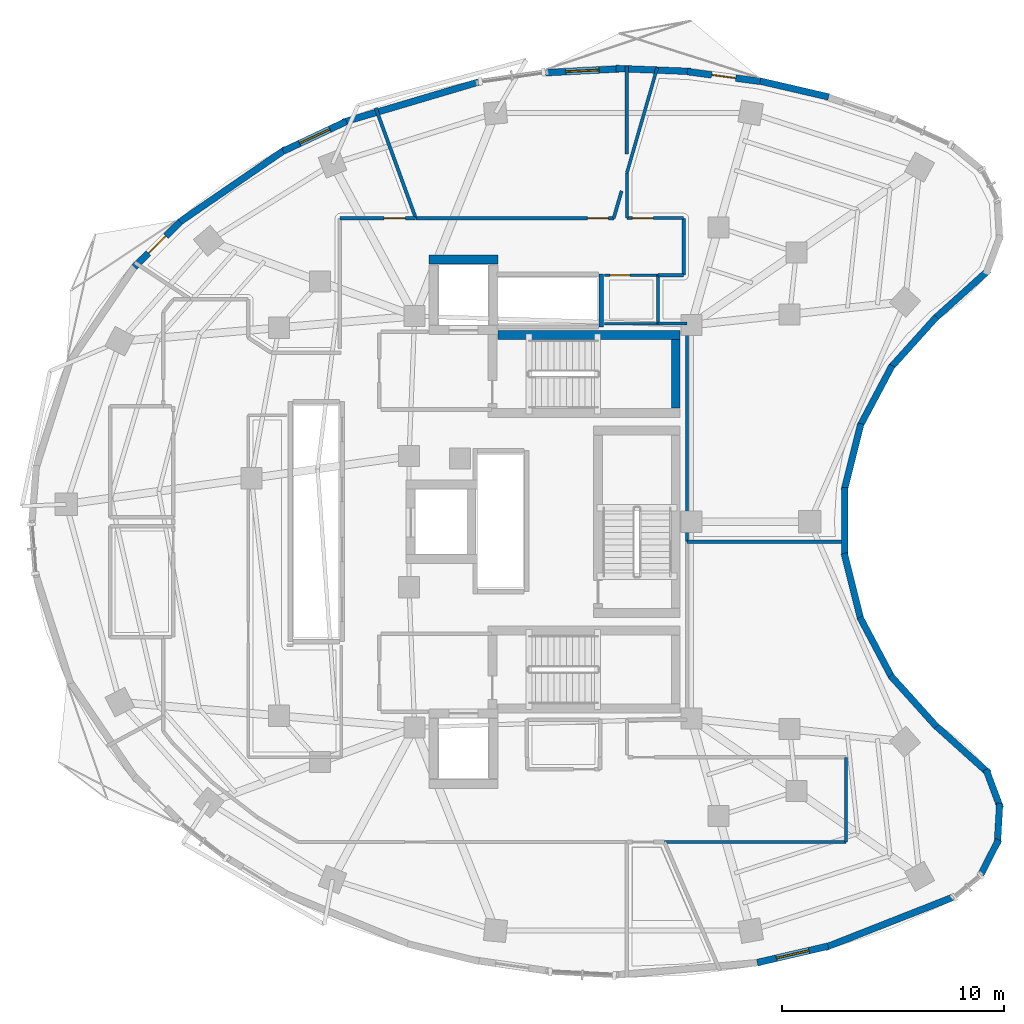
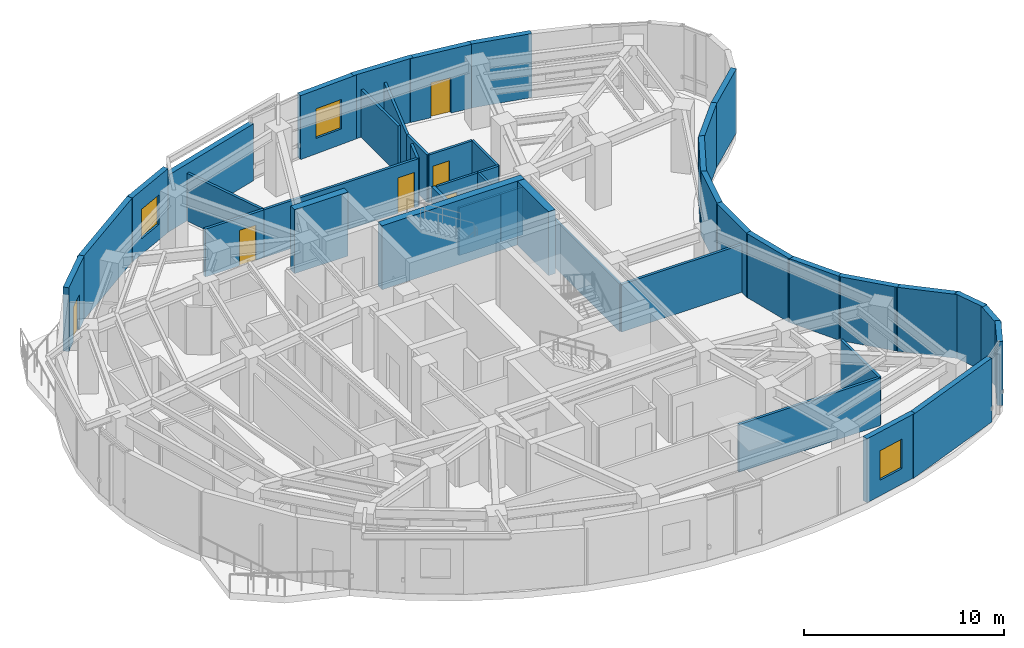
# One storey, part 9 of 13: 44 walls, 6 doors, 3 windows, 9 openings.
"""IFC4 building model written with IfcOpenShell, lengths in metres."""

import ifcopenshell
import ifcopenshell.guid

model = None  # the IFC model being written
_history = None  # IfcOwnerHistory: only IFC2X3 demands one
_inside = {}  # id of a spatial element -> (the spatial element, [elements in it])
_under = {}  # id of a project, library or spatial element -> (it, [spatial elements below it])
_declared = {}  # id of a project -> (the project, [libraries it declares])
_typed = {}  # id of a type object -> (the type object, [elements of that type])
_made_of = {}  # id of a material, layer set ... -> (it, [elements and type objects made of it])


def new_model(schema):
    """Start an empty IFC model of exactly this schema.

    Asked for "IFC4X3", IfcOpenShell would pick the latest addendum, in which some entities
    have other attributes; the version numbers below select the first issue.
    IFC2X3 requires an IfcOwnerHistory on every rooted entity: one is made here for all.
    """
    global model, _history
    if schema == "IFC4X3":
        model = ifcopenshell.file(schema_version=(4, 3, 0, 0))
    else:
        model = ifcopenshell.file(schema=schema)
    _inside.clear()
    _under.clear()
    _declared.clear()
    _typed.clear()
    _made_of.clear()
    _history = None
    if model.schema == "IFC2X3":
        org = make("IfcOrganization", Name="unknown")
        user = make(
            "IfcPersonAndOrganization",
            ThePerson=make("IfcPerson", FamilyName="unknown"),
            TheOrganization=org,
        )
        app = make(
            "IfcApplication",
            ApplicationDeveloper=org,
            Version="unknown",
            ApplicationFullName="unknown",
            ApplicationIdentifier="unknown",
        )
        _history = make(
            "IfcOwnerHistory",
            OwningUser=user,
            OwningApplication=app,
            ChangeAction="ADDED",
            CreationDate=0,
        )
    return model


def make(cls, **values):
    """One entity of the class cls with the attributes given. An attribute that is None is left unset."""
    return model.create_entity(
        cls, **{name: value for name, value in values.items() if value is not None}
    )


def rooted(cls, **values):
    """An entity with a GlobalId (a new one), such as an element, a storey or a relation."""
    return make(cls, GlobalId=ifcopenshell.guid.new(), OwnerHistory=_history, **values)


def si_unit(unit_type, name, prefix=None):
    """IfcSIUnit, for example si_unit("LENGTHUNIT", "METRE", prefix="MILLI")."""
    return make("IfcSIUnit", UnitType=unit_type, Prefix=prefix, Name=name)


def assignment(units):
    """IfcUnitAssignment: the units of a project."""
    return None if units is None else make("IfcUnitAssignment", Units=units)


def point(xyz):
    """IfcCartesianPoint."""
    return None if xyz is None else make("IfcCartesianPoint", Coordinates=xyz)


def direction(xyz):
    """IfcDirection."""
    return None if xyz is None else make("IfcDirection", DirectionRatios=xyz)


def frame(location, z_axis=None, x_axis=None):
    """IfcAxis2Placement3D, a coordinate frame: its origin and axes. An axis left out is left unset."""
    return make(
        "IfcAxis2Placement3D",
        Location=point(location),
        Axis=direction(z_axis),
        RefDirection=direction(x_axis),
    )


def frame_2d(location, x_axis=None):
    """IfcAxis2Placement2D, a coordinate frame in the plane: its origin and x axis."""
    return make(
        "IfcAxis2Placement2D", Location=point(location), RefDirection=direction(x_axis)
    )


def origin():
    """The frame at (0, 0, 0) with its axes left unset."""
    return frame((0.0, 0.0, 0.0))


def place(relative_to, where):
    """IfcLocalPlacement: puts the frame where relative to a parent placement (None: the world)."""
    return make(
        "IfcLocalPlacement", PlacementRelTo=relative_to, RelativePlacement=where
    )


def context(
    kind, dimensions, precision=None, world=None, true_north=None, identifier=None
):
    """IfcGeometricRepresentationContext, for example the 3D "Model" context."""
    return make(
        "IfcGeometricRepresentationContext",
        ContextIdentifier=identifier,
        ContextType=kind,
        CoordinateSpaceDimension=dimensions,
        Precision=precision,
        WorldCoordinateSystem=world,
        TrueNorth=true_north,
    )


def subcontext(parent, identifier, kind, view, scale=None):
    """IfcGeometricRepresentationSubContext, for example "Body" below "Model"."""
    return make(
        "IfcGeometricRepresentationSubContext",
        ContextIdentifier=identifier,
        ContextType=kind,
        ParentContext=parent,
        TargetScale=scale,
        TargetView=view,
    )


def project(units=None, contexts=None):
    """IfcProject with its units and contexts."""
    return rooted(
        "IfcProject",
        Name="project",
        RepresentationContexts=contexts,
        UnitsInContext=assignment(units),
    )


def spatial(cls, under=None, at=None, **own):
    """A site, building, storey or space (cls), placed at a placement, below another one or the project."""
    s = rooted(cls, ObjectPlacement=at, **own)
    if under is not None:
        _under.setdefault(under.id(), (under, []))[1].append(s)
    return s


def profile(cls, at=None, kind="AREA", **sizes):
    """A parametric profile (cls). Its sizes go by their IFC names, for example OverallWidth=200.0."""
    return make(cls, ProfileType=kind, Position=at, **sizes)


def rectangle(**sizes):
    """IfcRectangleProfileDef."""
    return profile("IfcRectangleProfileDef", **sizes)


def extrude(swept, where, along, depth):
    """IfcExtrudedAreaSolid: the profile swept, set in the frame where, extruded along a direction by depth."""
    return make(
        "IfcExtrudedAreaSolid",
        SweptArea=swept,
        Position=where,
        ExtrudedDirection=direction(along),
        Depth=depth,
    )


def shape(context_of_items, identifier, shape_type, items):
    """IfcShapeRepresentation: the items that make up one representation, for example the "Body"."""
    return make(
        "IfcShapeRepresentation",
        ContextOfItems=context_of_items,
        RepresentationIdentifier=identifier,
        RepresentationType=shape_type,
        Items=items,
    )


def material(Name=None, Category=None):
    """IfcMaterial."""
    return make("IfcMaterial", Name=Name, Category=Category)


def layer(
    of_material, thickness, ventilated=None, Name=None, Category=None, Priority=None
):
    """IfcMaterialLayer: one layer of a wall or slab, of a material (None: an air gap)."""
    return make(
        "IfcMaterialLayer",
        Material=of_material,
        LayerThickness=thickness,
        IsVentilated=ventilated,
        Name=Name,
        Category=Category,
        Priority=Priority,
    )


def layer_set(layers, Name=None):
    """IfcMaterialLayerSet."""
    return make("IfcMaterialLayerSet", MaterialLayers=layers, LayerSetName=Name)


def made_of(thing, what):
    """Note that an element or type object is made of a material, layer set ...; save() writes the relation."""
    if what is not None:
        _made_of.setdefault(what.id(), (what, []))[1].append(thing)
    return thing


def type_object(cls, material=None, **own):
    """A type object (cls), such as IfcWallType, which elements share."""
    return made_of(rooted(cls, **own), material)


def element(
    cls,
    number,
    at=None,
    inside=None,
    cuts=None,
    type_object=None,
    material=None,
    context=None,
    identifier="Body",
    shape_type=None,
    held_by="IfcProductDefinitionShape",
    body=None,
    shapes=None,
    **own,
):
    """One element of the class cls, such as IfcWall. Its Tag is "e" and its number.

    at: its placement. inside: the storey or other place that contains it. cuts: it is an
    opening in that element (IfcRelVoidsElement). A single representation is given by context,
    identifier, shape_type and body (its items); several are given by shapes. held_by: the class
    of the entity that holds the representations. save() writes the other relations.
    """
    e = rooted(cls, Tag="e%d" % number, ObjectPlacement=at, **own)
    if body is not None:
        shapes = [shape(context, identifier, shape_type, body)]
    if shapes is not None:
        e.Representation = make(held_by, Representations=shapes)
    if inside is not None:
        _inside.setdefault(inside.id(), (inside, []))[1].append(e)
    if cuts is not None:
        rooted(
            "IfcRelVoidsElement", RelatingBuildingElement=cuts, RelatedOpeningElement=e
        )
    if type_object is not None:
        _typed.setdefault(type_object.id(), (type_object, []))[1].append(e)
    return made_of(e, material)


def fill(opening, filler):
    """IfcRelFillsElement: the door or window that sits in an opening."""
    return rooted(
        "IfcRelFillsElement",
        RelatingOpeningElement=opening,
        RelatedBuildingElement=filler,
    )


def aggregate(whole, parts):
    """IfcRelAggregates: a whole, such as a stair, and the parts it consists of."""
    return rooted("IfcRelAggregates", RelatingObject=whole, RelatedObjects=parts)


def save(model, path):
    """Write the relations noted so far, then the file.

    IfcRelAggregates (storeys below a building ...), IfcRelContainedInSpatialStructure (elements
    in a storey), IfcRelDefinesByType, IfcRelAssociatesMaterial and IfcRelDeclares: one each for
    every whole, place, type object, material and project.
    """
    for whole, parts in _under.values():
        aggregate(whole, parts)
    for where, things in _inside.values():
        rooted(
            "IfcRelContainedInSpatialStructure",
            RelatedElements=things,
            RelatingStructure=where,
        )
    for kind, things in _typed.values():
        rooted("IfcRelDefinesByType", RelatedObjects=things, RelatingType=kind)
    for what, things in _made_of.values():
        rooted("IfcRelAssociatesMaterial", RelatedObjects=things, RelatingMaterial=what)
    for by, libraries in _declared.values():
        rooted("IfcRelDeclares", RelatingContext=by, RelatedDefinitions=libraries)
    model.write(path)


model = new_model("IFC4")

# Units and contexts
model_context = context("Model", 3, precision=1e-05, world=origin(), true_north=direction((0.0, 1.0)))
body_context = subcontext(model_context, "Body", "Model", "MODEL_VIEW")
ifc_project = project(units=[si_unit("LENGTHUNIT", "METRE"), si_unit("AREAUNIT", "SQUARE_METRE"), si_unit("VOLUMEUNIT", "CUBIC_METRE"), si_unit("PLANEANGLEUNIT", "RADIAN"), si_unit("MASSUNIT", "GRAM", prefix="KILO")], contexts=[model_context])

# Site, building, storey
site_placement = place(None, origin())
site = spatial("IfcSite", under=ifc_project, at=site_placement, CompositionType="ELEMENT")
building_placement = place(site_placement, origin())
building = spatial("IfcBuilding", under=site, at=building_placement, Name="Korentha Bioscience Tower", CompositionType="ELEMENT")
storey_placement = place(building_placement, frame((0.0, 0.0, 166.800048828125)))
storey = spatial("IfcBuildingStorey", under=building, at=storey_placement, Name="L38", CompositionType="ELEMENT", Elevation=166.800048828125)

# Wall, opening, door
ifc_material_1 = material(Name="Double-Stud Acoustic Gypsum", Category="gypsum")
ifc_layer_1 = layer(ifc_material_1, 0.14990234375, Name="Double-Stud Acoustic Gypsum")
ifc_layer_set_1 = layer_set([ifc_layer_1], Name="Double-Stud Acoustic Gypsum (IW-L150)")
wall_type_1 = type_object("IfcWallType", Name="Acoustic Laboratory Partition Wall 150", PredefinedType="PARTITIONING", material=ifc_layer_set_1)
wall_1_placement = place(storey_placement, frame((34.05908203125, 40.659912109375, 0.0), z_axis=(0.0, 0.0, 1.0), x_axis=(-1.0, 0.0, 0.0)))
wall_1 = element("IfcWall", 1, at=wall_1_placement, inside=storey, type_object=wall_type_1, Name="L38 Lyophilization Freeze-Drying Room 06 Entrance Wall", PredefinedType="PARTITIONING", context=body_context, shape_type="SweptSolid", body=[
    extrude(rectangle(XDim=8.908447265625, YDim=0.14990234375, at=frame_2d((4.4541015625, 0.0))), origin(), (0.0, 0.0, 1.0), 2.909912109375),
])
opening_1_placement = place(wall_1_placement, frame((0.239990234375, 0.0, 0.0)))
opening_1 = element("IfcOpeningElement", 2, at=opening_1_placement, cuts=wall_1, Name="Opening ID-10R", PredefinedType="OPENING", context=body_context, shape_type="SweptSolid", body=[
    extrude(rectangle(XDim=0.949951171875, YDim=2.14990234375, at=frame_2d((0.47509765625, 1.074951171875))), frame((0.0, 0.08984375, 0.0), z_axis=(0.0, -1.0, 0.0), x_axis=(1.0, 0.0, 0.0)), (0.0, 0.0, 1.0), 0.1796875),
])
ifc_material_2 = material(Name="Phenolic Laminate Timber Core", Category="wood")
door_type_1 = type_object("IfcDoorType", Name="Laboratory Single Leaf Door 950x2150 Right", OperationType="SINGLE_SWING_RIGHT", PredefinedType="DOOR", material=ifc_material_2)
door_1_placement = place(opening_1_placement, origin())
door_1 = element("IfcDoor", 3, at=door_1_placement, inside=storey, type_object=door_type_1, Name="L38 Lyophilization Freeze-Drying Room 06 Door", OperationType="SINGLE_SWING_RIGHT", OverallHeight=2.14990234375, OverallWidth=0.949951171875, PredefinedType="DOOR", context=body_context, shape_type="SweptSolid", body=[
    extrude(rectangle(XDim=0.949951171875, YDim=2.14990234375, at=frame_2d((0.47509765625, 1.074951171875))), frame((0.0, 0.02490234375, 0.0), z_axis=(0.0, -1.0, 0.0), x_axis=(1.0, 0.0, 0.0)), (0.0, 0.0, 1.0), 0.050048828125),
])
fill(opening_1, door_1)

# Walls
wall_2_placement = place(storey_placement, frame((36.348876953125, 12.590087890625, 0.0), z_axis=(0.0, 0.0, 1.0), x_axis=(1.0, 0.0, 0.0)))
element("IfcWall", 4, at=wall_2_placement, inside=storey, type_object=wall_type_1, Name="L38 Interior Partition 040", PredefinedType="PARTITIONING", context=body_context, shape_type="SweptSolid", body=[
    extrude(rectangle(XDim=8.151123046875, YDim=0.14990234375, at=frame_2d((4.07568359375, 0.0))), origin(), (0.0, 0.0, 1.0), 2.909912109375),
])
wall_3_placement = place(storey_placement, frame((44.510009765625, 12.60009765625, 0.0), z_axis=(0.0, 0.0, 1.0), x_axis=(0.0, 1.0, 0.0)))
element("IfcWall", 5, at=wall_3_placement, inside=storey, type_object=wall_type_1, Name="L38 Interior Partition 041", PredefinedType="PARTITIONING", context=body_context, shape_type="SweptSolid", body=[
    extrude(rectangle(XDim=3.7998046875, YDim=0.14990234375, at=frame_2d((1.89990234375, 0.0))), origin(), (0.0, 0.0, 1.0), 2.909912109375),
])
wall_4_placement = place(storey_placement, frame((37.360107421875, 26.097900390625, 0.0), z_axis=(0.0, 0.0, 1.0), x_axis=(1.0, 0.0, 0.0)))
element("IfcWall", 6, at=wall_4_placement, inside=storey, type_object=wall_type_1, Name="L38 Interior Partition 045", PredefinedType="PARTITIONING", context=body_context, shape_type="SweptSolid", body=[
    extrude(rectangle(XDim=7.17333984375, YDim=0.14990234375, at=frame_2d((3.586669921875, 0.0))), origin(), (0.0, 0.0, 1.0), 2.909912109375),
])
wall_5_placement = place(storey_placement, frame((34.64794921875, 47.494873046875, 0.0), z_axis=(0.0, 0.0, 1.0), x_axis=(0.0, -1.0, 0.0)))
element("IfcWall", 7, at=wall_5_placement, inside=storey, type_object=wall_type_1, Name="L38 Interior Partition 052", PredefinedType="PARTITIONING", context=body_context, shape_type="SweptSolid", body=[
    extrude(rectangle(XDim=3.942138671875, YDim=0.14990234375, at=frame_2d((1.97119140625, 0.0))), origin(), (0.0, 0.0, 1.0), 2.909912109375),
])
wall_6_placement = place(storey_placement, frame((34.412109375, 41.88330078125, 0.0), z_axis=(0.0, 0.0, 1.0), x_axis=(-0.277252558392, -0.960797074759, 0.0)))
element("IfcWall", 8, at=wall_6_placement, inside=storey, type_object=wall_type_1, Name="L38 Interior Partition 053", PredefinedType="PARTITIONING", context=body_context, shape_type="SweptSolid", body=[
    extrude(rectangle(XDim=1.273193359375, YDim=0.14990234375, at=frame_2d((0.63671875, 0.0))), origin(), (0.0, 0.0, 1.0), 2.909912109375),
])
wall_7_placement = place(storey_placement, frame((25.150634765625, 40.659912109375, 0.0), z_axis=(0.0, 0.0, 1.0), x_axis=(-0.341995928267, 0.939701433993, 0.0)))
element("IfcWall", 9, at=wall_7_placement, inside=storey, type_object=wall_type_1, Name="L38 Interior Partition 054", PredefinedType="PARTITIONING", context=body_context, shape_type="SweptSolid", body=[
    extrude(rectangle(XDim=5.271240234375, YDim=0.14990234375, at=frame_2d((2.6357421875, 0.0))), origin(), (0.0, 0.0, 1.0), 2.909912109375),
])

# Wall, opening, door
ifc_material_3 = material(Name="Insulated Aluminium Honeycomb Panel", Category="aluminium")
ifc_layer_2 = layer(ifc_material_3, 0.139892578125, Name="Insulated Aluminium Honeycomb Panel")
ifc_layer_set_2 = layer_set([ifc_layer_2], Name="Insulated Aluminium Honeycomb Panel (IW-F60)")
wall_type_2 = type_object("IfcWallType", Name="Cleanroom Flush Metal Panel Partition 140", PredefinedType="PARTITIONING", material=ifc_layer_set_2)
wall_8_placement = place(storey_placement, frame((37.199951171875, 40.659912109375, 0.0), z_axis=(0.0, 0.0, 1.0), x_axis=(-1.0, 0.0, 0.0)))
wall_8 = element("IfcWall", 10, at=wall_8_placement, inside=storey, type_object=wall_type_2, Name="L38 Vaccine Formulation Cleanroom 05 Entrance Wall", PredefinedType="PARTITIONING", context=body_context, shape_type="SweptSolid", body=[
    extrude(rectangle(XDim=2.5478515625, YDim=0.139892578125, at=frame_2d((1.27392578125, 0.0))), origin(), (0.0, 0.0, 1.0), 2.909912109375),
])
opening_2_placement = place(wall_8_placement, frame((1.35791015625, 0.0, 0.0)))
opening_2 = element("IfcOpeningElement", 11, at=opening_2_placement, cuts=wall_8, Name="Opening ID-10L", PredefinedType="OPENING", context=body_context, shape_type="SweptSolid", body=[
    extrude(rectangle(XDim=0.949951171875, YDim=2.14990234375, at=frame_2d((0.47509765625, 1.074951171875))), frame((0.0, 0.0849609375, 0.0), z_axis=(0.0, -1.0, 0.0), x_axis=(1.0, 0.0, 0.0)), (0.0, 0.0, 1.0), 0.169677734375),
])
door_type_2 = type_object("IfcDoorType", Name="Laboratory Single Leaf Door 950x2150 Left", OperationType="SINGLE_SWING_LEFT", PredefinedType="DOOR", material=ifc_material_2)
door_2_placement = place(opening_2_placement, origin())
door_2 = element("IfcDoor", 12, at=door_2_placement, inside=storey, type_object=door_type_2, Name="L38 Vaccine Formulation Cleanroom 05 Door", OperationType="SINGLE_SWING_LEFT", OverallHeight=2.14990234375, OverallWidth=0.949951171875, PredefinedType="DOOR", context=body_context, shape_type="SweptSolid", body=[
    extrude(rectangle(XDim=0.949951171875, YDim=2.14990234375, at=frame_2d((0.47509765625, 1.074951171875))), frame((0.0, 0.02490234375, 0.0), z_axis=(0.0, -1.0, 0.0), x_axis=(1.0, 0.0, 0.0)), (0.0, 0.0, 1.0), 0.050048828125),
])
fill(opening_2, door_2)

# Walls
wall_9_placement = place(storey_placement, frame((34.652099609375, 42.700927734375, 0.0), z_axis=(0.0, 0.0, 1.0), x_axis=(0.277202021351, 0.960811656548, 0.0)))
element("IfcWall", 13, at=wall_9_placement, inside=storey, type_object=wall_type_2, Name="L38 Interior Partition 046", PredefinedType="PARTITIONING", context=body_context, shape_type="SweptSolid", body=[
    extrude(rectangle(XDim=4.924072265625, YDim=0.139892578125, at=frame_2d((2.4619140625, 0.0))), origin(), (0.0, 0.0, 1.0), 2.909912109375),
])
wall_10_placement = place(storey_placement, frame((37.360107421875, 26.10791015625, 0.0), z_axis=(0.0, 0.0, 1.0), x_axis=(0.0, 1.0, 0.0)))
element("IfcWall", 14, at=wall_10_placement, inside=storey, type_object=wall_type_2, Name="L38 Interior Partition 047", PredefinedType="PARTITIONING", context=body_context, shape_type="SweptSolid", body=[
    extrude(rectangle(XDim=9.7919921875, YDim=0.139892578125, at=frame_2d((4.89599609375, 0.0))), origin(), (0.0, 0.0, 1.0), 2.909912109375),
])
wall_11_placement = place(storey_placement, frame((37.35009765625, 35.909912109375, 0.0), z_axis=(0.0, 0.0, 1.0), x_axis=(-1.0, 0.0, 0.0)))
element("IfcWall", 15, at=wall_11_placement, inside=storey, type_object=wall_type_2, Name="L38 Interior Partition 048", PredefinedType="PARTITIONING", context=body_context, shape_type="SweptSolid", body=[
    extrude(rectangle(XDim=1.2900390625, YDim=0.139892578125, at=frame_2d((0.64501953125, 0.0))), origin(), (0.0, 0.0, 1.0), 2.909912109375),
])
wall_12_placement = place(storey_placement, frame((36.06005859375, 38.090087890625, 0.0), z_axis=(0.0, 0.0, 1.0), x_axis=(1.0, 0.0, 0.0)))
element("IfcWall", 16, at=wall_12_placement, inside=storey, type_object=wall_type_2, Name="L38 Interior Partition 049", PredefinedType="PARTITIONING", context=body_context, shape_type="SweptSolid", body=[
    extrude(rectangle(XDim=1.139892578125, YDim=0.139892578125, at=frame_2d((0.56982421875, 0.0))), origin(), (0.0, 0.0, 1.0), 2.909912109375),
])
wall_13_placement = place(storey_placement, frame((37.2099609375, 38.10009765625, 0.0), z_axis=(0.0, 0.0, 1.0), x_axis=(0.0, 1.0, 0.0)))
element("IfcWall", 17, at=wall_13_placement, inside=storey, type_object=wall_type_2, Name="L38 Interior Partition 050", PredefinedType="PARTITIONING", context=body_context, shape_type="SweptSolid", body=[
    extrude(rectangle(XDim=2.5498046875, YDim=0.139892578125, at=frame_2d((1.27490234375, 0.0))), origin(), (0.0, 0.0, 1.0), 2.909912109375),
])
wall_14_placement = place(storey_placement, frame((34.652099609375, 40.659912109375, 0.0), z_axis=(0.0, 0.0, 1.0), x_axis=(0.0, 1.0, 0.0)))
element("IfcWall", 18, at=wall_14_placement, inside=storey, type_object=wall_type_2, Name="L38 Interior Partition 051", PredefinedType="PARTITIONING", context=body_context, shape_type="SweptSolid", body=[
    extrude(rectangle(XDim=2.040771484375, YDim=0.139892578125, at=frame_2d((1.0205078125, 0.0))), origin(), (0.0, 0.0, 1.0), 2.909912109375),
])

# Wall, opening, door
ifc_material_4 = material(Name="Gypsum-Clad Steel Stud", Category="steel")
ifc_layer_3 = layer(ifc_material_4, 0.159912109375, Name="Gypsum-Clad Steel Stud")
ifc_layer_set_3 = layer_set([ifc_layer_3], Name="Gypsum-Clad Steel Stud (IW-C160)")
wall_type_3 = type_object("IfcWallType", Name="Fire-Rated Corridor Partition Wall 160", PredefinedType="PARTITIONING", material=ifc_layer_set_3)
wall_15_placement = place(storey_placement, frame((25.14013671875, 40.659912109375, 0.0), z_axis=(0.0, 0.0, 1.0), x_axis=(-1.0, 0.0, 0.0)))
wall_15 = element("IfcWall", 19, at=wall_15_placement, inside=storey, type_object=wall_type_3, Name="L38 Cold-Chain Stability Chamber 07 Entrance Wall", PredefinedType="PARTITIONING", context=body_context, shape_type="SweptSolid", body=[
    extrude(rectangle(XDim=3.39013671875, YDim=0.159912109375, at=frame_2d((1.695068359375, 0.0))), origin(), (0.0, 0.0, 1.0), 2.909912109375),
])
opening_3_placement = place(wall_15_placement, frame((0.460693359375, 0.0, 0.0)))
opening_3 = element("IfcOpeningElement", 20, at=opening_3_placement, cuts=wall_15, Name="Opening ID-10L", PredefinedType="OPENING", context=body_context, shape_type="SweptSolid", body=[
    extrude(rectangle(XDim=0.949951171875, YDim=2.14990234375, at=frame_2d((0.47509765625, 1.074951171875))), frame((0.0, 0.0947265625, 0.0), z_axis=(0.0, -1.0, 0.0), x_axis=(1.0, 0.0, 0.0)), (0.0, 0.0, 1.0), 0.189697265625),
])
door_3_placement = place(opening_3_placement, origin())
door_3 = element("IfcDoor", 21, at=door_3_placement, inside=storey, type_object=door_type_2, Name="L38 Cold-Chain Stability Chamber 07 Door", OperationType="SINGLE_SWING_LEFT", OverallHeight=2.14990234375, OverallWidth=0.949951171875, PredefinedType="DOOR", context=body_context, shape_type="SweptSolid", body=[
    extrude(rectangle(XDim=0.949951171875, YDim=2.14990234375, at=frame_2d((0.47509765625, 1.074951171875))), frame((0.0, 0.02490234375, 0.0), z_axis=(0.0, -1.0, 0.0), x_axis=(1.0, 0.0, 0.0)), (0.0, 0.0, 1.0), 0.050048828125),
])
fill(opening_3, door_3)

ifc_material_5 = material(Name="Honed Limestone Precast Concrete C40", Category="masonry")
ifc_layer_4 = layer(ifc_material_5, 0.300048828125, Name="Honed Limestone Precast Concrete C40")
ifc_layer_set_4 = layer_set([ifc_layer_4], Name="Honed Limestone Precast Concrete C40 (EW-ST300)")
wall_type_4 = type_object("IfcWallType", Name="Honed Limestone Cavity Spandrel Wall 300", PredefinedType="STANDARD", material=ifc_layer_set_4)
wall_16_placement = place(storey_placement, frame((40.646484375, 46.81201171875, 0.0), z_axis=(0.0, 0.0, 1.0), x_axis=(-0.991139436205, 0.132825517122, 0.0)))
wall_16 = element("IfcWall", 22, at=wall_16_placement, inside=storey, type_object=wall_type_4, Name="L38 Balcony Threshold Wall 01", PredefinedType="STANDARD", context=body_context, shape_type="SweptSolid", body=[
    extrude(rectangle(XDim=3.310302734375, YDim=0.300048828125, at=frame_2d((1.6552734375, 0.0))), origin(), (0.0, 0.0, 1.0), 3.89990234375),
])
opening_4_placement = place(wall_16_placement, frame((1.105224609375, 0.0, 0.0)))
opening_4 = element("IfcOpeningElement", 23, at=opening_4_placement, cuts=wall_16, Name="Opening BD-11L", PredefinedType="OPENING", context=body_context, shape_type="SweptSolid", body=[
    extrude(rectangle(XDim=1.10009765625, YDim=2.14990234375, at=frame_2d((0.550048828125, 1.074951171875))), frame((0.0, 0.1650390625, 0.0), z_axis=(0.0, -1.0, 0.0), x_axis=(1.0, 0.0, 0.0)), (0.0, 0.0, 1.0), 0.329833984375),
])
ifc_material_6 = material(Name="Thermally Broken Glazed Aluminium", Category="aluminium")
door_type_3 = type_object("IfcDoorType", Name="Balcony Terrace Glazed Door 1100x2150 Left", OperationType="SINGLE_SWING_LEFT", PredefinedType="DOOR", material=ifc_material_6)
door_4_placement = place(opening_4_placement, origin())
door_4 = element("IfcDoor", 24, at=door_4_placement, inside=storey, type_object=door_type_3, Name="L38 Balcony Access Door 01", OperationType="SINGLE_SWING_LEFT", OverallHeight=2.14990234375, OverallWidth=1.10009765625, PredefinedType="DOOR", context=body_context, shape_type="SweptSolid", body=[
    extrude(rectangle(XDim=1.10009765625, YDim=2.14990234375, at=frame_2d((0.550048828125, 1.074951171875))), frame((0.0, 0.02490234375, 0.0), z_axis=(0.0, -1.0, 0.0), x_axis=(1.0, 0.0, 0.0)), (0.0, 0.0, 1.0), 0.050048828125),
])
fill(opening_4, door_4)

# Wall, opening, window
wall_17_placement = place(storey_placement, frame((34.30908203125, 47.374755859375, 0.0), z_axis=(0.0, 0.0, 1.0), x_axis=(-0.998637826203, -0.05217750547, 0.0)))
wall_17 = element("IfcWall", 25, at=wall_17_placement, inside=storey, type_object=wall_type_4, Name="L38 Honed Limestone Spandrel Wall 06", PredefinedType="STANDARD", context=body_context, shape_type="SweptSolid", body=[
    extrude(rectangle(XDim=3.326904296875, YDim=0.300048828125, at=frame_2d((1.66357421875, 0.0))), origin(), (0.0, 0.0, 1.0), 3.89990234375),
])
opening_5_placement = place(wall_17_placement, frame((0.913330078125, 0.0, 0.949951171875)))
opening_5 = element("IfcOpeningElement", 26, at=opening_5_placement, cuts=wall_17, Name="Opening WN-02", PredefinedType="OPENING", context=body_context, shape_type="SweptSolid", body=[
    extrude(rectangle(XDim=1.5, YDim=1.800048828125, at=frame_2d((0.75, 0.89990234375))), frame((0.0, 0.1650390625, 0.0), z_axis=(0.0, -1.0, 0.0), x_axis=(1.0, 0.0, 0.0)), (0.0, 0.0, 1.0), 0.329833984375),
])
ifc_material_7 = material(Name="Thermally Broken Aluminium Triple Glazing", Category="aluminium")
window_type = type_object("IfcWindowType", Name="Acoustic Operable Office Window 1500x1800", PartitioningType="DOUBLE_PANEL_VERTICAL", PredefinedType="WINDOW", material=ifc_material_7)
window_1_placement = place(opening_5_placement, origin())
window_1 = element("IfcWindow", 27, at=window_1_placement, inside=storey, type_object=window_type, Name="L38 Facade Window 06", OverallHeight=1.800048828125, OverallWidth=1.5, PartitioningType="DOUBLE_PANEL_VERTICAL", PredefinedType="WINDOW", context=body_context, shape_type="SweptSolid", body=[
    extrude(rectangle(XDim=1.5, YDim=1.800048828125, at=frame_2d((0.75, 0.89990234375))), frame((0.0, 0.030029296875, 0.0), z_axis=(0.0, -1.0, 0.0), x_axis=(1.0, 0.0, 0.0)), (0.0, 0.0, 1.0), 0.06005859375),
])
fill(opening_5, window_1)

wall_18_placement = place(storey_placement, frame((22.02978515625, 45.009521484375, 0.0), z_axis=(0.0, 0.0, 1.0), x_axis=(-0.905013842092, -0.425382117186, 0.0)))
wall_18 = element("IfcWall", 28, at=wall_18_placement, inside=storey, type_object=wall_type_4, Name="L38 Honed Limestone Spandrel Wall 10", PredefinedType="STANDARD", context=body_context, shape_type="SweptSolid", body=[
    extrude(rectangle(XDim=3.145751953125, YDim=0.300048828125, at=frame_2d((1.57275390625, 0.0))), origin(), (0.0, 0.0, 1.0), 3.89990234375),
])
opening_6_placement = place(wall_18_placement, frame((0.822998046875, 0.0, 0.949951171875)))
opening_6 = element("IfcOpeningElement", 29, at=opening_6_placement, cuts=wall_18, Name="Opening WN-02", PredefinedType="OPENING", context=body_context, shape_type="SweptSolid", body=[
    extrude(rectangle(XDim=1.5, YDim=1.800048828125, at=frame_2d((0.75, 0.89990234375))), frame((0.0, 0.1650390625, 0.0), z_axis=(0.0, -1.0, 0.0), x_axis=(1.0, 0.0, 0.0)), (0.0, 0.0, 1.0), 0.329833984375),
])
window_2_placement = place(opening_6_placement, origin())
window_2 = element("IfcWindow", 30, at=window_2_placement, inside=storey, type_object=window_type, Name="L38 Facade Window 10", OverallHeight=1.800048828125, OverallWidth=1.5, PartitioningType="DOUBLE_PANEL_VERTICAL", PredefinedType="WINDOW", context=body_context, shape_type="SweptSolid", body=[
    extrude(rectangle(XDim=1.5, YDim=1.800048828125, at=frame_2d((0.75, 0.89990234375))), frame((0.0, 0.030029296875, 0.0), z_axis=(0.0, -1.0, 0.0), x_axis=(1.0, 0.0, 0.0)), (0.0, 0.0, 1.0), 0.06005859375),
])
fill(opening_6, window_2)

# Wall, opening, door
wall_19_placement = place(storey_placement, frame((14.545654296875, 40.488525390625, 0.0), z_axis=(0.0, 0.0, 1.0), x_axis=(-0.711442799636, -0.70274400947, 0.0)))
wall_19 = element("IfcWall", 31, at=wall_19_placement, inside=storey, type_object=wall_type_4, Name="L38 Balcony Threshold Wall 02", PredefinedType="STANDARD", context=body_context, shape_type="SweptSolid", body=[
    extrude(rectangle(XDim=2.890869140625, YDim=0.300048828125, at=frame_2d((1.4453125, 0.0))), origin(), (0.0, 0.0, 1.0), 3.89990234375),
])
opening_7_placement = place(wall_19_placement, frame((0.8955078125, 0.0, 0.0)))
opening_7 = element("IfcOpeningElement", 32, at=opening_7_placement, cuts=wall_19, Name="Opening BD-11R", PredefinedType="OPENING", context=body_context, shape_type="SweptSolid", body=[
    extrude(rectangle(XDim=1.10009765625, YDim=2.14990234375, at=frame_2d((0.550048828125, 1.074951171875))), frame((0.0, 0.1650390625, 0.0), z_axis=(0.0, -1.0, 0.0), x_axis=(1.0, 0.0, 0.0)), (0.0, 0.0, 1.0), 0.329833984375),
])
door_type_4 = type_object("IfcDoorType", Name="Balcony Terrace Glazed Door 1100x2150 Right", OperationType="SINGLE_SWING_RIGHT", PredefinedType="DOOR", material=ifc_material_6)
door_5_placement = place(opening_7_placement, origin())
door_5 = element("IfcDoor", 33, at=door_5_placement, inside=storey, type_object=door_type_4, Name="L38 Balcony Access Door 02", OperationType="SINGLE_SWING_RIGHT", OverallHeight=2.14990234375, OverallWidth=1.10009765625, PredefinedType="DOOR", context=body_context, shape_type="SweptSolid", body=[
    extrude(rectangle(XDim=1.10009765625, YDim=2.14990234375, at=frame_2d((0.550048828125, 1.074951171875))), frame((0.0, 0.02490234375, 0.0), z_axis=(0.0, -1.0, 0.0), x_axis=(1.0, 0.0, 0.0)), (0.0, 0.0, 1.0), 0.050048828125),
])
fill(opening_7, door_5)

# Wall, opening, window
wall_20_placement = place(storey_placement, frame((40.513671875, 7.163818359375, 0.0), z_axis=(0.0, 0.0, 1.0), x_axis=(0.974182179996, 0.225763327799, 0.0)))
wall_20 = element("IfcWall", 34, at=wall_20_placement, inside=storey, type_object=wall_type_4, Name="L38 Honed Limestone Spandrel Wall 34", PredefinedType="STANDARD", context=body_context, shape_type="SweptSolid", body=[
    extrude(rectangle(XDim=3.2744140625, YDim=0.300048828125, at=frame_2d((1.63720703125, 0.0))), origin(), (0.0, 0.0, 1.0), 3.89990234375),
])
opening_8_placement = place(wall_20_placement, frame((0.88720703125, 0.0, 0.949951171875)))
opening_8 = element("IfcOpeningElement", 35, at=opening_8_placement, cuts=wall_20, Name="Opening WN-02", PredefinedType="OPENING", context=body_context, shape_type="SweptSolid", body=[
    extrude(rectangle(XDim=1.5, YDim=1.800048828125, at=frame_2d((0.75, 0.89990234375))), frame((0.0, 0.1650390625, 0.0), z_axis=(0.0, -1.0, 0.0), x_axis=(1.0, 0.0, 0.0)), (0.0, 0.0, 1.0), 0.329833984375),
])
window_3_placement = place(opening_8_placement, origin())
window_3 = element("IfcWindow", 36, at=window_3_placement, inside=storey, type_object=window_type, Name="L38 Facade Window 34", OverallHeight=1.800048828125, OverallWidth=1.5, PartitioningType="DOUBLE_PANEL_VERTICAL", PredefinedType="WINDOW", context=body_context, shape_type="SweptSolid", body=[
    extrude(rectangle(XDim=1.5, YDim=1.800048828125, at=frame_2d((0.75, 0.89990234375))), frame((0.0, 0.030029296875, 0.0), z_axis=(0.0, -1.0, 0.0), x_axis=(1.0, 0.0, 0.0)), (0.0, 0.0, 1.0), 0.06005859375),
])
fill(opening_8, window_3)

# Walls
wall_21_placement = place(storey_placement, frame((43.7275390625, 46.112060546875, 0.0), z_axis=(0.0, 0.0, 1.0), x_axis=(-0.974179712493, 0.225773974956, 0.0)))
element("IfcWall", 37, at=wall_21_placement, inside=storey, type_object=wall_type_4, Name="L38 Limestone Perimeter Closure Wall 03", PredefinedType="STANDARD", context=body_context, shape_type="SweptSolid", body=[
    extrude(rectangle(XDim=3.314453125, YDim=0.300048828125, at=frame_2d((1.6572265625, 0.0))), origin(), (0.0, 0.0, 1.0), 3.89990234375),
])
wall_22_placement = place(storey_placement, frame((37.5205078125, 47.25927734375, 0.0), z_axis=(0.0, 0.0, 1.0), x_axis=(-0.999190386434, 0.040231475948, 0.0)))
element("IfcWall", 38, at=wall_22_placement, inside=storey, type_object=wall_type_4, Name="L38 Limestone Perimeter Closure Wall 05", PredefinedType="STANDARD", context=body_context, shape_type="SweptSolid", body=[
    extrude(rectangle(XDim=3.367919921875, YDim=0.300048828125, at=frame_2d((1.68408203125, 0.0))), origin(), (0.0, 0.0, 1.0), 3.89990234375),
])
wall_23_placement = place(storey_placement, frame((28.001708984375, 46.791259765625, 0.0), z_axis=(0.0, 0.0, 1.0), x_axis=(-0.958672086524, -0.284513322218, 0.0)))
element("IfcWall", 39, at=wall_23_placement, inside=storey, type_object=wall_type_4, Name="L38 Limestone Perimeter Closure Wall 08", PredefinedType="STANDARD", context=body_context, shape_type="SweptSolid", body=[
    extrude(rectangle(XDim=6.3955078125, YDim=0.300048828125, at=frame_2d((3.19775390625, 0.0))), origin(), (0.0, 0.0, 1.0), 3.469970703125),
])
wall_24_placement = place(storey_placement, frame((19.314208984375, 43.771484375, 0.0), z_axis=(0.0, 0.0, 1.0), x_axis=(-0.824341970472, -0.566092144194, 0.0)))
element("IfcWall", 40, at=wall_24_placement, inside=storey, type_object=wall_type_4, Name="L38 Limestone Perimeter Closure Wall 11", PredefinedType="STANDARD", context=body_context, shape_type="SweptSolid", body=[
    extrude(rectangle(XDim=5.956787109375, YDim=0.300048828125, at=frame_2d((2.978515625, 0.0))), origin(), (0.0, 0.0, 1.0), 3.89990234375),
])
wall_25_placement = place(storey_placement, frame((43.5556640625, 7.834716796875, 0.0), z_axis=(0.0, 0.0, 1.0), x_axis=(0.930552726132, 0.366157922062, 0.0)))
element("IfcWall", 41, at=wall_25_placement, inside=storey, type_object=wall_type_4, Name="L38 Limestone Perimeter Closure Wall 35", PredefinedType="STANDARD", context=body_context, shape_type="SweptSolid", body=[
    extrude(rectangle(XDim=6.28955078125, YDim=0.300048828125, at=frame_2d((3.144775390625, 0.0))), origin(), (0.0, 0.0, 1.0), 3.89990234375),
])
for number, where, z_axis, x_axis, name in (
    (42, (50.533935546875, 11.041259765625, 0.0), (0.0, 0.0, 1.0), (0.454214122486, 0.890892547356, 0.0), "L38 Limestone Perimeter Closure Wall 38"),
    (43, (51.319091796875, 12.484375, 0.0), (0.0, 0.0, 1.0), (0.057485341891, 0.998346350455, 0.0), "L38 Limestone Perimeter Closure Wall 39"),
    (44, (51.45751953125, 14.121337890625, 0.0), (0.0, 0.0, 1.0), (-0.348984166898, 0.937128620443, 0.0), "L38 Limestone Perimeter Closure Wall 40"),
):
    element("IfcWall", number, at=place(storey_placement, frame(where, z_axis=z_axis, x_axis=x_axis)), inside=storey, type_object=wall_type_4, Name=name, PredefinedType="STANDARD", context=body_context, shape_type="SweptSolid", body=[
        extrude(rectangle(XDim=1.851806640625, YDim=0.300048828125, at=frame_2d((0.92578125, 0.0))), origin(), (0.0, 0.0, 1.0), 3.89990234375),
    ])
wall_26_placement = place(storey_placement, frame((50.936279296875, 15.6728515625, 0.0), z_axis=(0.0, 0.0, 1.0), x_axis=(-0.743341827472, 0.668911748687, 0.0)))
element("IfcWall", 45, at=wall_26_placement, inside=storey, type_object=wall_type_4, Name="L38 Limestone Perimeter Closure Wall 41", PredefinedType="STANDARD", context=body_context, shape_type="SweptSolid", body=[
    extrude(rectangle(XDim=3.3095703125, YDim=0.300048828125, at=frame_2d((1.65478515625, 0.0))), origin(), (0.0, 0.0, 1.0), 3.89990234375),
])
for number, where, z_axis, x_axis, name in (
    (46, (48.57861328125, 17.7841796875, 0.0), (0.0, 0.0, 1.0), (-0.669165704933, 0.743113221079, 0.0), "L38 Limestone Perimeter Closure Wall 43"),
    (47, (46.58447265625, 19.975830078125, 0.0), (0.0, 0.0, 1.0), (-0.469471310295, 0.882947727111, 0.0), "L38 Limestone Perimeter Closure Wall 45"),
    (48, (45.179931640625, 22.585205078125, 0.0), (0.0, 0.0, 1.0), (-0.241940068914, 0.970291194979, 0.0), "L38 Limestone Perimeter Closure Wall 47"),
    (49, (44.448486328125, 25.45654296875, 0.0), (0.0, 0.0, 1.0), (0.0, 1.0, 0.0), "L38 Limestone Perimeter Closure Wall 49"),
    (50, (44.43310546875, 28.419677734375, 0.0), (0.0, 0.0, 1.0), (0.241940068914, 0.970291194979, 0.0), "L38 Limestone Perimeter Closure Wall 51"),
    (51, (45.13525390625, 31.298583984375, 0.0), (0.0, 0.0, 1.0), (0.469471310295, 0.882947727111, 0.0), "L38 Limestone Perimeter Closure Wall 53"),
    (52, (46.512939453125, 33.921875, 0.0), (0.0, 0.0, 1.0), (0.669165704933, 0.743113221079, 0.0), "L38 Limestone Perimeter Closure Wall 55"),
):
    element("IfcWall", number, at=place(storey_placement, frame(where, z_axis=z_axis, x_axis=x_axis)), inside=storey, type_object=wall_type_4, Name=name, PredefinedType="STANDARD", context=body_context, shape_type="SweptSolid", body=[
        extrude(rectangle(XDim=3.0869140625, YDim=0.300048828125, at=frame_2d((1.54345703125, 0.0))), origin(), (0.0, 0.0, 1.0), 3.89990234375),
    ])
wall_27_placement = place(storey_placement, frame((48.47607421875, 36.11328125, 0.0), z_axis=(0.0, 0.0, 1.0), x_axis=(0.743341827472, 0.668911748687, 0.0)))
element("IfcWall", 53, at=wall_27_placement, inside=storey, type_object=wall_type_4, Name="L38 Limestone Perimeter Closure Wall 57", PredefinedType="STANDARD", context=body_context, shape_type="SweptSolid", body=[
    extrude(rectangle(XDim=3.3095703125, YDim=0.300048828125, at=frame_2d((1.65478515625, 0.0))), origin(), (0.0, 0.0, 1.0), 3.89990234375),
])
ifc_material_8 = material(Name="Autoclaved Aerated Concrete Block C25", Category="concrete")
ifc_layer_5 = layer(ifc_material_8, 0.199951171875, Name="Autoclaved Aerated Concrete Block C25")
ifc_layer_set_5 = layer_set([ifc_layer_5], Name="Autoclaved Aerated Concrete Block C25 (IW-S200)")
wall_type_5 = type_object("IfcWallType", Name="Lift and Riser Shaft Enclosure Wall 200", PredefinedType="PARTITIONING", material=ifc_layer_set_5)
wall_28_placement = place(storey_placement, frame((33.489990234375, 35.760009765625, 0.0), z_axis=(0.0, 0.0, 1.0), x_axis=(0.0, 1.0, 0.0)))
element("IfcWall", 54, at=wall_28_placement, inside=storey, type_object=wall_type_5, Name="L38 Lift Bank OBS Shaft Wall +X", PredefinedType="PARTITIONING", context=body_context, shape_type="SweptSolid", body=[
    extrude(rectangle(XDim=2.3798828125, YDim=0.199951171875, at=frame_2d((1.18994140625, 0.0))), origin(), (0.0, 0.0, 1.0), 2.909912109375),
])
ifc_material_9 = material(Name="Concrete C65", Category="concrete")
ifc_layer_6 = layer(ifc_material_9, 0.39990234375, Name="Concrete C65")
ifc_layer_set_6 = layer_set([ifc_layer_6], Name="Concrete C65 (CW-C65)")
wall_type_6 = type_object("IfcWallType", Name="Mid-Rise Core Shear Wall 400", PredefinedType="SHEAR", material=ifc_layer_set_6)
wall_29_placement = place(storey_placement, frame((28.85205078125, 35.39990234375, 0.0), z_axis=(0.0, 0.0, 1.0), x_axis=(1.0, 0.0, 0.0)))
element("IfcWall", 55, at=wall_29_placement, inside=storey, type_object=wall_type_6, Name="L38 Core Shear Wall ST1-N", PredefinedType="SHEAR", context=body_context, shape_type="SweptSolid", body=[
    extrude(rectangle(XDim=8.197998046875, YDim=0.39990234375, at=frame_2d((4.09912109375, 0.0))), origin(), (0.0, 0.0, 1.0), 3.89990234375),
])
wall_30_placement = place(storey_placement, frame((36.85009765625, 32.110107421875, 0.0), z_axis=(0.0, 0.0, 1.0), x_axis=(0.0, 1.0, 0.0)))
element("IfcWall", 56, at=wall_30_placement, inside=storey, type_object=wall_type_6, Name="L38 Core Shear Wall ST1-E", PredefinedType="SHEAR", context=body_context, shape_type="SweptSolid", body=[
    extrude(rectangle(XDim=3.079833984375, YDim=0.39990234375, at=frame_2d((1.5400390625, 0.0))), origin(), (0.0, 0.0, 1.0), 3.89990234375),
])
wall_31_placement = place(storey_placement, frame((25.75, 38.800048828125, 0.0), z_axis=(0.0, 0.0, 1.0), x_axis=(1.0, 0.0, 0.0)))
element("IfcWall", 57, at=wall_31_placement, inside=storey, type_object=wall_type_6, Name="L38 Core Shear Wall FFL2-N", PredefinedType="SHEAR", context=body_context, shape_type="SweptSolid", body=[
    extrude(rectangle(XDim=3.10009765625, YDim=0.39990234375, at=frame_2d((1.550048828125, 0.0))), origin(), (0.0, 0.0, 1.0), 3.89990234375),
])

# Wall, opening, door
ifc_material_10 = material(Name="Cement-Board Steel Stud", Category="steel")
ifc_layer_7 = layer(ifc_material_10, 0.1298828125, Name="Cement-Board Steel Stud")
ifc_layer_set_7 = layer_set([ifc_layer_7], Name="Cement-Board Steel Stud (IW-W130)")
wall_type_7 = type_object("IfcWallType", Name="Wet-Area Moisture-Resistant Partition 130", PredefinedType="PARTITIONING", material=ifc_layer_set_7)
wall_32_placement = place(storey_placement, frame((33.64990234375, 38.090087890625, 0.0), z_axis=(0.0, 0.0, 1.0), x_axis=(1.0, 0.0, 0.0)))
wall_32 = element("IfcWall", 58, at=wall_32_placement, inside=storey, type_object=wall_type_7, Name="L38 Accessible Staff WC Entrance Wall", PredefinedType="PARTITIONING", context=body_context, shape_type="SweptSolid", body=[
    extrude(rectangle(XDim=2.400146484375, YDim=0.1298828125, at=frame_2d((1.2001953125, 0.0))), origin(), (0.0, 0.0, 1.0), 2.909912109375),
])
opening_9_placement = place(wall_32_placement, frame((0.239990234375, 0.0, 0.0)))
opening_9 = element("IfcOpeningElement", 59, at=opening_9_placement, cuts=wall_32, Name="Opening ID-09R", PredefinedType="OPENING", context=body_context, shape_type="SweptSolid", body=[
    extrude(rectangle(XDim=0.89990234375, YDim=2.14990234375, at=frame_2d((0.449951171875, 1.074951171875))), frame((0.0, 0.079833984375, 0.0), z_axis=(0.0, -1.0, 0.0), x_axis=(1.0, 0.0, 0.0)), (0.0, 0.0, 1.0), 0.15966796875),
])
ifc_material_11 = material(Name="Moisture-Resistant HPL Leaf", Category="wood")
door_type_5 = type_object("IfcDoorType", Name="Restroom & Accessible WC Door 900x2150 Right", OperationType="SINGLE_SWING_RIGHT", PredefinedType="DOOR", material=ifc_material_11)
door_6_placement = place(opening_9_placement, origin())
door_6 = element("IfcDoor", 60, at=door_6_placement, inside=storey, type_object=door_type_5, Name="L38 Accessible Staff WC Door", OperationType="SINGLE_SWING_RIGHT", OverallHeight=2.14990234375, OverallWidth=0.89990234375, PredefinedType="DOOR", context=body_context, shape_type="SweptSolid", body=[
    extrude(rectangle(XDim=0.89990234375, YDim=2.14990234375, at=frame_2d((0.449951171875, 1.074951171875))), frame((0.0, 0.02490234375, 0.0), z_axis=(0.0, -1.0, 0.0), x_axis=(1.0, 0.0, 0.0)), (0.0, 0.0, 1.0), 0.050048828125),
])
fill(opening_9, door_6)

# Walls
wall_33_placement = place(storey_placement, frame((36.050048828125, 35.909912109375, 0.0), z_axis=(0.0, 0.0, 1.0), x_axis=(-1.0, 0.0, 0.0)))
element("IfcWall", 61, at=wall_33_placement, inside=storey, type_object=wall_type_7, Name="L38 Interior Partition 018", PredefinedType="PARTITIONING", context=body_context, shape_type="SweptSolid", body=[
    extrude(rectangle(XDim=2.400146484375, YDim=0.1298828125, at=frame_2d((1.2001953125, 0.0))), origin(), (0.0, 0.0, 1.0), 2.909912109375),
])
wall_34_placement = place(storey_placement, frame((36.050048828125, 38.090087890625, 0.0), z_axis=(0.0, 0.0, 1.0), x_axis=(0.0, -1.0, 0.0)))
element("IfcWall", 62, at=wall_34_placement, inside=storey, type_object=wall_type_7, Name="L38 Interior Partition 019", PredefinedType="PARTITIONING", context=body_context, shape_type="SweptSolid", body=[
    extrude(rectangle(XDim=2.18017578125, YDim=0.1298828125, at=frame_2d((1.090087890625, 0.0))), origin(), (0.0, 0.0, 1.0), 2.909912109375),
])

save(model, "model.ifc")
